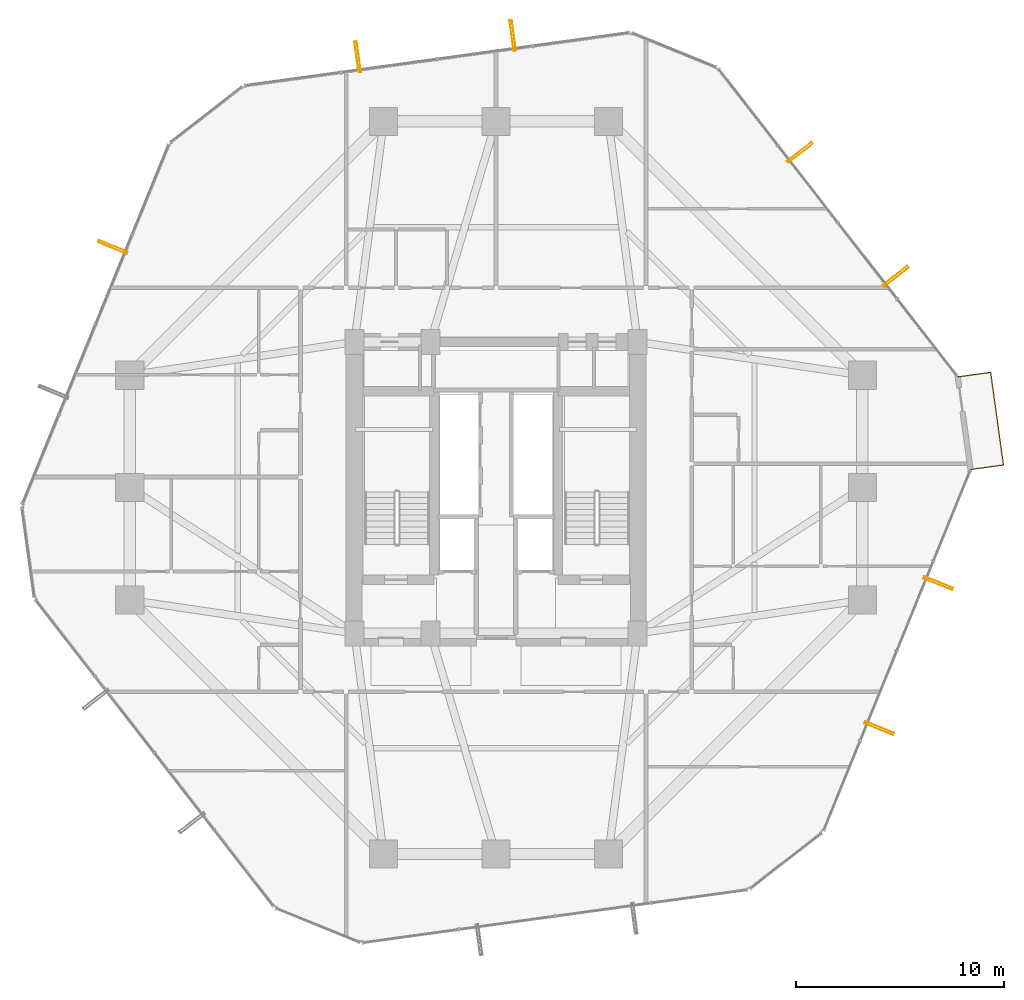
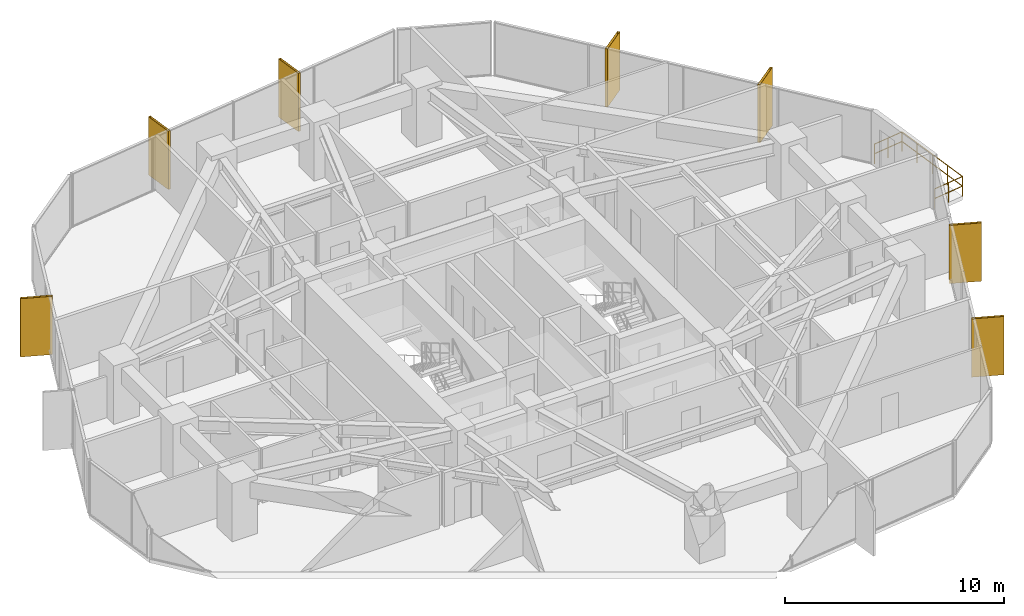
# One storey, part 37 of 37: 7 shading devices, 1 railing.
"""IFC4 building model written with IfcOpenShell, lengths in metres."""

import ifcopenshell
import ifcopenshell.guid

model = None  # the IFC model being written
_history = None  # IfcOwnerHistory: only IFC2X3 demands one
_inside = {}  # id of a spatial element -> (the spatial element, [elements in it])
_under = {}  # id of a project, library or spatial element -> (it, [spatial elements below it])
_declared = {}  # id of a project -> (the project, [libraries it declares])
_typed = {}  # id of a type object -> (the type object, [elements of that type])
_made_of = {}  # id of a material, layer set ... -> (it, [elements and type objects made of it])


def new_model(schema):
    """Start an empty IFC model of exactly this schema.

    Asked for "IFC4X3", IfcOpenShell would pick the latest addendum, in which some entities
    have other attributes; the version numbers below select the first issue.
    IFC2X3 requires an IfcOwnerHistory on every rooted entity: one is made here for all.
    """
    global model, _history
    if schema == "IFC4X3":
        model = ifcopenshell.file(schema_version=(4, 3, 0, 0))
    else:
        model = ifcopenshell.file(schema=schema)
    _inside.clear()
    _under.clear()
    _declared.clear()
    _typed.clear()
    _made_of.clear()
    _history = None
    if model.schema == "IFC2X3":
        org = make("IfcOrganization", Name="unknown")
        user = make(
            "IfcPersonAndOrganization",
            ThePerson=make("IfcPerson", FamilyName="unknown"),
            TheOrganization=org,
        )
        app = make(
            "IfcApplication",
            ApplicationDeveloper=org,
            Version="unknown",
            ApplicationFullName="unknown",
            ApplicationIdentifier="unknown",
        )
        _history = make(
            "IfcOwnerHistory",
            OwningUser=user,
            OwningApplication=app,
            ChangeAction="ADDED",
            CreationDate=0,
        )
    return model


def make(cls, **values):
    """One entity of the class cls with the attributes given. An attribute that is None is left unset."""
    return model.create_entity(
        cls, **{name: value for name, value in values.items() if value is not None}
    )


def rooted(cls, **values):
    """An entity with a GlobalId (a new one), such as an element, a storey or a relation."""
    return make(cls, GlobalId=ifcopenshell.guid.new(), OwnerHistory=_history, **values)


def si_unit(unit_type, name, prefix=None):
    """IfcSIUnit, for example si_unit("LENGTHUNIT", "METRE", prefix="MILLI")."""
    return make("IfcSIUnit", UnitType=unit_type, Prefix=prefix, Name=name)


def assignment(units):
    """IfcUnitAssignment: the units of a project."""
    return None if units is None else make("IfcUnitAssignment", Units=units)


def point(xyz):
    """IfcCartesianPoint."""
    return None if xyz is None else make("IfcCartesianPoint", Coordinates=xyz)


def direction(xyz):
    """IfcDirection."""
    return None if xyz is None else make("IfcDirection", DirectionRatios=xyz)


def frame(location, z_axis=None, x_axis=None):
    """IfcAxis2Placement3D, a coordinate frame: its origin and axes. An axis left out is left unset."""
    return make(
        "IfcAxis2Placement3D",
        Location=point(location),
        Axis=direction(z_axis),
        RefDirection=direction(x_axis),
    )


def frame_2d(location, x_axis=None):
    """IfcAxis2Placement2D, a coordinate frame in the plane: its origin and x axis."""
    return make(
        "IfcAxis2Placement2D", Location=point(location), RefDirection=direction(x_axis)
    )


def origin():
    """The frame at (0, 0, 0) with its axes left unset."""
    return frame((0.0, 0.0, 0.0))


def origin_2d():
    """The frame at (0, 0) in the plane with its x axis left unset."""
    return frame_2d((0.0, 0.0))


def place(relative_to, where):
    """IfcLocalPlacement: puts the frame where relative to a parent placement (None: the world)."""
    return make(
        "IfcLocalPlacement", PlacementRelTo=relative_to, RelativePlacement=where
    )


def context(
    kind, dimensions, precision=None, world=None, true_north=None, identifier=None
):
    """IfcGeometricRepresentationContext, for example the 3D "Model" context."""
    return make(
        "IfcGeometricRepresentationContext",
        ContextIdentifier=identifier,
        ContextType=kind,
        CoordinateSpaceDimension=dimensions,
        Precision=precision,
        WorldCoordinateSystem=world,
        TrueNorth=true_north,
    )


def subcontext(parent, identifier, kind, view, scale=None):
    """IfcGeometricRepresentationSubContext, for example "Body" below "Model"."""
    return make(
        "IfcGeometricRepresentationSubContext",
        ContextIdentifier=identifier,
        ContextType=kind,
        ParentContext=parent,
        TargetScale=scale,
        TargetView=view,
    )


def project(units=None, contexts=None):
    """IfcProject with its units and contexts."""
    return rooted(
        "IfcProject",
        Name="project",
        RepresentationContexts=contexts,
        UnitsInContext=assignment(units),
    )


def spatial(cls, under=None, at=None, **own):
    """A site, building, storey or space (cls), placed at a placement, below another one or the project."""
    s = rooted(cls, ObjectPlacement=at, **own)
    if under is not None:
        _under.setdefault(under.id(), (under, []))[1].append(s)
    return s


def profile(cls, at=None, kind="AREA", **sizes):
    """A parametric profile (cls). Its sizes go by their IFC names, for example OverallWidth=200.0."""
    return make(cls, ProfileType=kind, Position=at, **sizes)


def hollow_rectangle(**sizes):
    """IfcRectangleHollowProfileDef."""
    return profile("IfcRectangleHollowProfileDef", **sizes)


def circle(**sizes):
    """IfcCircleProfileDef."""
    return profile("IfcCircleProfileDef", **sizes)


def extrude(swept, where, along, depth):
    """IfcExtrudedAreaSolid: the profile swept, set in the frame where, extruded along a direction by depth."""
    return make(
        "IfcExtrudedAreaSolid",
        SweptArea=swept,
        Position=where,
        ExtrudedDirection=direction(along),
        Depth=depth,
    )


def shape(context_of_items, identifier, shape_type, items):
    """IfcShapeRepresentation: the items that make up one representation, for example the "Body"."""
    return make(
        "IfcShapeRepresentation",
        ContextOfItems=context_of_items,
        RepresentationIdentifier=identifier,
        RepresentationType=shape_type,
        Items=items,
    )


def material(Name=None, Category=None):
    """IfcMaterial."""
    return make("IfcMaterial", Name=Name, Category=Category)


def material_profile(
    of_material, cross_section, Name=None, Category=None, Priority=None
):
    """IfcMaterialProfile: a cross section and its material."""
    return make(
        "IfcMaterialProfile",
        Name=Name,
        Material=of_material,
        Profile=cross_section,
        Priority=Priority,
        Category=Category,
    )


def profile_set(profiles, Name=None, composite=None):
    """IfcMaterialProfileSet."""
    return make(
        "IfcMaterialProfileSet",
        Name=Name,
        MaterialProfiles=profiles,
        CompositeProfile=composite,
    )


def made_of(thing, what):
    """Note that an element or type object is made of a material, layer set ...; save() writes the relation."""
    if what is not None:
        _made_of.setdefault(what.id(), (what, []))[1].append(thing)
    return thing


def type_object(cls, material=None, **own):
    """A type object (cls), such as IfcWallType, which elements share."""
    return made_of(rooted(cls, **own), material)


def element(
    cls,
    number,
    at=None,
    inside=None,
    cuts=None,
    type_object=None,
    material=None,
    context=None,
    identifier="Body",
    shape_type=None,
    held_by="IfcProductDefinitionShape",
    body=None,
    shapes=None,
    **own,
):
    """One element of the class cls, such as IfcWall. Its Tag is "e" and its number.

    at: its placement. inside: the storey or other place that contains it. cuts: it is an
    opening in that element (IfcRelVoidsElement). A single representation is given by context,
    identifier, shape_type and body (its items); several are given by shapes. held_by: the class
    of the entity that holds the representations. save() writes the other relations.
    """
    e = rooted(cls, Tag="e%d" % number, ObjectPlacement=at, **own)
    if body is not None:
        shapes = [shape(context, identifier, shape_type, body)]
    if shapes is not None:
        e.Representation = make(held_by, Representations=shapes)
    if inside is not None:
        _inside.setdefault(inside.id(), (inside, []))[1].append(e)
    if cuts is not None:
        rooted(
            "IfcRelVoidsElement", RelatingBuildingElement=cuts, RelatedOpeningElement=e
        )
    if type_object is not None:
        _typed.setdefault(type_object.id(), (type_object, []))[1].append(e)
    return made_of(e, material)


def aggregate(whole, parts):
    """IfcRelAggregates: a whole, such as a stair, and the parts it consists of."""
    return rooted("IfcRelAggregates", RelatingObject=whole, RelatedObjects=parts)


def save(model, path):
    """Write the relations noted so far, then the file.

    IfcRelAggregates (storeys below a building ...), IfcRelContainedInSpatialStructure (elements
    in a storey), IfcRelDefinesByType, IfcRelAssociatesMaterial and IfcRelDeclares: one each for
    every whole, place, type object, material and project.
    """
    for whole, parts in _under.values():
        aggregate(whole, parts)
    for where, things in _inside.values():
        rooted(
            "IfcRelContainedInSpatialStructure",
            RelatedElements=things,
            RelatingStructure=where,
        )
    for kind, things in _typed.values():
        rooted("IfcRelDefinesByType", RelatedObjects=things, RelatingType=kind)
    for what, things in _made_of.values():
        rooted("IfcRelAssociatesMaterial", RelatedObjects=things, RelatingMaterial=what)
    for by, libraries in _declared.values():
        rooted("IfcRelDeclares", RelatingContext=by, RelatedDefinitions=libraries)
    model.write(path)


model = new_model("IFC4")

# Units and contexts
model_context = context("Model", 3, precision=1e-05, world=origin(), true_north=direction((0.0, 1.0)))
body_context = subcontext(model_context, "Body", "Model", "MODEL_VIEW")
ifc_project = project(units=[si_unit("LENGTHUNIT", "METRE"), si_unit("AREAUNIT", "SQUARE_METRE"), si_unit("VOLUMEUNIT", "CUBIC_METRE"), si_unit("PLANEANGLEUNIT", "RADIAN"), si_unit("MASSUNIT", "GRAM", prefix="KILO")], contexts=[model_context])

# Site, building, storey
site_placement = place(None, origin())
site = spatial("IfcSite", under=ifc_project, at=site_placement, CompositionType="ELEMENT")
building_placement = place(site_placement, origin())
building = spatial("IfcBuilding", under=site, at=building_placement, Name="Veraguas Prism Commons", CompositionType="ELEMENT")
storey_placement = place(building_placement, frame((0.0, 0.0, 50.050048828125)))
storey = spatial("IfcBuildingStorey", under=building, at=storey_placement, Name="L13", CompositionType="ELEMENT", Elevation=50.050048828125)

# Shading devices
ifc_material_1 = material(Name="Anodised aluminium EN AW-6063 T6", Category="aluminium")
ifc_material_profile = material_profile(ifc_material_1, hollow_rectangle(XDim=0.1201171875, YDim=1.489990234375, WallThickness=0.006103515625, at=origin_2d()), Name="FIN120X1490X6")
ifc_profile_set = profile_set([ifc_material_profile], Name="Anodised aluminium EN AW-6063 T6")
shading_device_type = type_object("IfcShadingDeviceType", Name="Deep Pale-Metal Vertical Solar Fin 120x1490", PredefinedType="USERDEFINED", material=ifc_profile_set)
for number, where, z_axis, x_axis, name in (
    (1, (43.21484375, 34.163818359375, -0.22998046875), (0.0, 0.0, 1.0), (-0.613459914842, 0.789725859322, 0.0), "Vertical Pale-Metal Solar Fin L13-F1A"),
    (2, (38.6005859375, 40.103759765625, -0.22998046875), (0.0, 0.0, 1.0), (-0.613459914842, 0.789725859322, 0.0), "Vertical Pale-Metal Solar Fin L13-F1B"),
    (3, (24.80517578125, 45.722412109375, -0.22998046875), (0.0, 0.0, 1.0), (-0.990652613619, -0.136408940795, 0.0), "Vertical Pale-Metal Solar Fin L13-F2A"),
    (4, (17.35400390625, 44.696533203125, -0.22998046875), (0.0, 0.0, 1.0), (-0.990652613619, -0.136408940795, 0.0), "Vertical Pale-Metal Solar Fin L13-F2B"),
    (5, (5.59033203125, 35.55859375, -0.22998046875), (0.0, 0.0, 1.0), (-0.377194315187, -0.926134141791, 0.0), "Vertical Pale-Metal Solar Fin L13-F3A"),
    (6, (42.40966796875, 12.44140625, -0.22998046875), (0.0, 0.0, 1.0), (0.377194315187, 0.926134141791, 0.0), "Vertical Pale-Metal Solar Fin L13-F6A"),
    (7, (45.24658203125, 19.407470703125, -0.22998046875), (0.0, 0.0, 1.0), (0.377194315187, 0.926134141791, 0.0), "Vertical Pale-Metal Solar Fin L13-F6B"),
):
    element("IfcShadingDevice", number, at=place(storey_placement, frame(where, z_axis=z_axis, x_axis=x_axis)), inside=storey, type_object=shading_device_type, Name=name, ObjectType="FIN", PredefinedType="USERDEFINED", context=body_context, shape_type="SweptSolid", body=[
        extrude(hollow_rectangle(XDim=0.1201171875, YDim=1.489990234375, WallThickness=0.006103515625, at=origin_2d()), origin(), (0.0, 0.0, 1.0), 3.25),
    ])

# Railing
ifc_material_2 = material(Name="Stainless steel AISI 316", Category="steel")
railing_type = type_object("IfcRailingType", Name="Loggia and Sky Pool Glazed Balustrade 1120", PredefinedType="BALUSTRADE", material=ifc_material_2)
railing_placement = place(storey_placement, frame((46.795654296875, 24.86767578125, 0.0)))
element("IfcRailing", 8, at=railing_placement, inside=storey, type_object=railing_type, Name="Recessed Corner Loggia L13-C1 Guard", PredefinedType="BALUSTRADE", context=body_context, shape_type="SweptSolid", body=[
    extrude(circle(Radius=0.02392578125, at=origin_2d()), frame((0.0, 0.0, 1.09619140625), z_axis=(0.990671630907, 0.136270758842, 0.0), x_axis=(-0.136270758842, 0.990671630907, 0.0)), (0.0, 0.0, 1.0), 1.599853515625),
    extrude(circle(Radius=0.02392578125, at=origin_2d()), frame((0.0, 0.0, 0.56005859375), z_axis=(0.990671630907, 0.136270758842, 0.0), x_axis=(-0.136270758842, 0.990671630907, 0.0)), (0.0, 0.0, 1.0), 1.599853515625),
    extrude(circle(Radius=0.02392578125, at=origin_2d()), frame((1.5849609375, 0.218017578125, 1.09619140625), z_axis=(-0.136391388085, 0.9906550304, 0.0), x_axis=(-0.9906550304, -0.136391388085, 0.0)), (0.0, 0.0, 1.0), 4.5),
    extrude(circle(Radius=0.02392578125, at=origin_2d()), frame((1.5849609375, 0.218017578125, 0.56005859375), z_axis=(-0.136391388085, 0.9906550304, 0.0), x_axis=(-0.9906550304, -0.136391388085, 0.0)), (0.0, 0.0, 1.0), 4.5),
    extrude(circle(Radius=0.02392578125, at=origin_2d()), frame((0.97119140625, 4.676025390625, 1.09619140625), z_axis=(-0.990651019238, -0.136420519285, 0.0), x_axis=(0.136420519285, -0.990651019238, 0.0)), (0.0, 0.0, 1.0), 1.599853515625),
    extrude(circle(Radius=0.02392578125, at=origin_2d()), frame((0.97119140625, 4.676025390625, 0.56005859375), z_axis=(-0.990651019238, -0.136420519285, 0.0), x_axis=(0.136420519285, -0.990651019238, 0.0)), (0.0, 0.0, 1.0), 1.599853515625),
    extrude(circle(Radius=0.02099609375, at=origin_2d()), origin(), (0.0, 0.0, 1.0), 1.072021484375),
    extrude(circle(Radius=0.02099609375, at=origin_2d()), frame((0.79248046875, 0.10888671875, 0.0)), (0.0, 0.0, 1.0), 1.072021484375),
    extrude(circle(Radius=0.02099609375, at=origin_2d()), frame((1.5849609375, 0.218017578125, 0.0)), (0.0, 0.0, 1.0), 1.072021484375),
    extrude(circle(Radius=0.02099609375, at=origin_2d()), frame((1.431640625, 1.33251953125, 0.0)), (0.0, 0.0, 1.0), 1.072021484375),
    extrude(circle(Radius=0.02099609375, at=origin_2d()), frame((1.278076171875, 2.447021484375, 0.0)), (0.0, 0.0, 1.0), 1.072021484375),
    extrude(circle(Radius=0.02099609375, at=origin_2d()), frame((1.12451171875, 3.5615234375, 0.0)), (0.0, 0.0, 1.0), 1.072021484375),
    extrude(circle(Radius=0.02099609375, at=origin_2d()), frame((0.97119140625, 4.676025390625, 0.0)), (0.0, 0.0, 1.0), 1.072021484375),
    extrude(circle(Radius=0.02099609375, at=origin_2d()), frame((0.1787109375, 4.56689453125, 0.0)), (0.0, 0.0, 1.0), 1.072021484375),
    extrude(circle(Radius=0.02099609375, at=origin_2d()), frame((-0.61376953125, 4.457763671875, 0.0)), (0.0, 0.0, 1.0), 1.072021484375),
])

save(model, "model.ifc")
